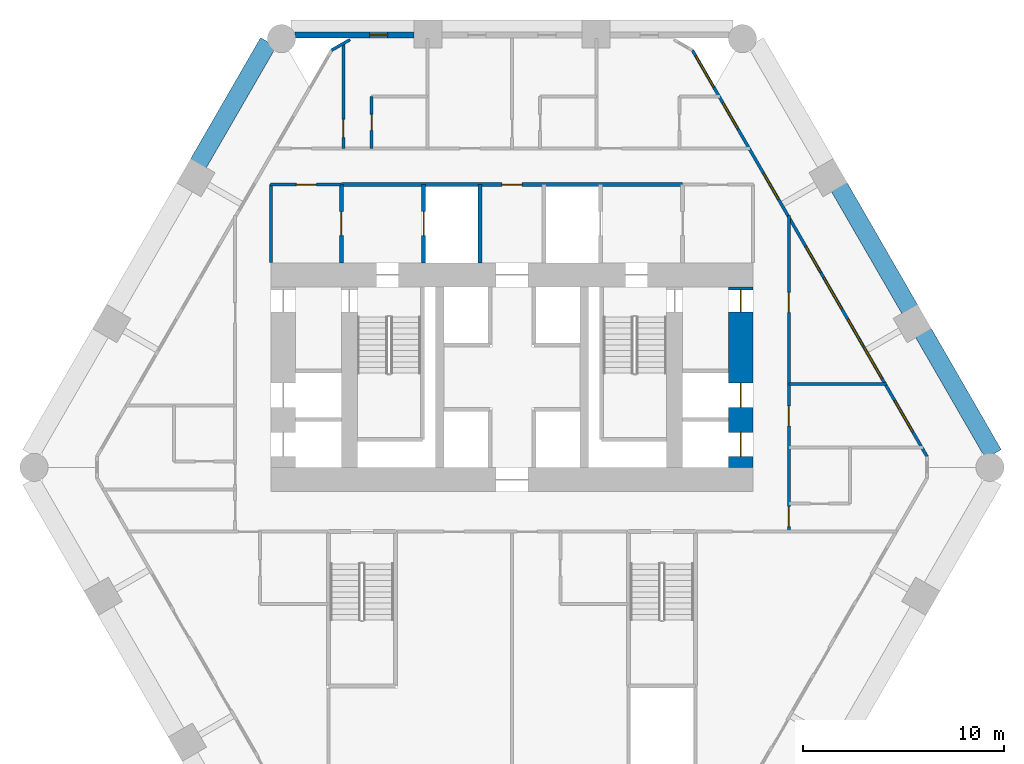
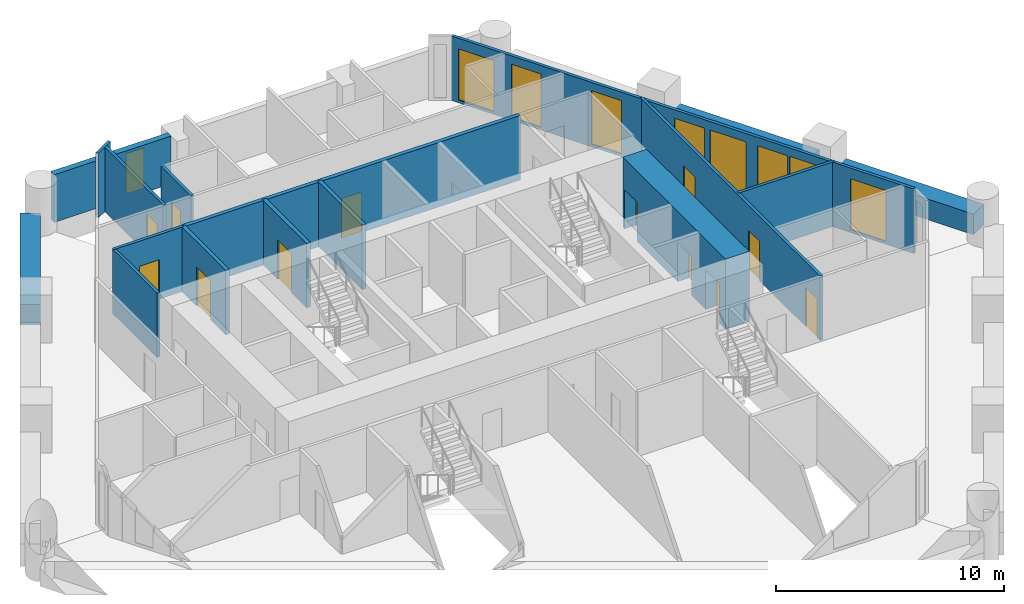
# One storey, part 5 of 8: 17 walls, 12 doors, 9 windows, 21 openings.
"""IFC4 building model written with IfcOpenShell, lengths in metres."""

from ifc_helpers import new_model, si_unit, direction, frame, frame_2d, origin, place, context, subcontext, project, spatial, rectangle, extrude, material, layer, layer_set, type_object, element, fill, save


model = new_model("IFC4")

# Units and contexts
model_context = context("Model", 3, precision=1e-05, world=origin(), true_north=direction((0.0, 1.0)))
body_context = subcontext(model_context, "Body", "Model", "MODEL_VIEW")
ifc_project = project(units=[si_unit("LENGTHUNIT", "METRE"), si_unit("AREAUNIT", "SQUARE_METRE"), si_unit("VOLUMEUNIT", "CUBIC_METRE"), si_unit("PLANEANGLEUNIT", "RADIAN"), si_unit("MASSUNIT", "GRAM", prefix="KILO")], contexts=[model_context])

# Site, building, storey
site_placement = place(None, origin())
site = spatial("IfcSite", under=ifc_project, at=site_placement, CompositionType="ELEMENT")
building_placement = place(site_placement, origin())
building = spatial("IfcBuilding", under=site, at=building_placement, Name="Ostrander Bayou Hotel Tower", CompositionType="ELEMENT")
storey_placement = place(building_placement, frame((0.0, 0.0, 54.25)))
storey = spatial("IfcBuildingStorey", under=building, at=storey_placement, Name="L13", CompositionType="ELEMENT", Elevation=54.25)

# Wall, openings, doors
ifc_material_1 = material(Name="Concrete f'c 70 MPa", Category="concrete")
ifc_layer_1 = layer(ifc_material_1, 1.199951171875)
ifc_layer_set_1 = layer_set([ifc_layer_1], Name="CW1 core wall 1200 mm f'c 70 MPa")
wall_type_1 = type_object("IfcWallType", Name="CW1 core wall 1200 mm f'c 70 MPa", PredefinedType="SHEAR", material=ifc_layer_set_1)
wall_1_placement = place(storey_placement, frame((11.39990234375, -0.5, -0.300048828125), z_axis=(0.0, 0.0, 1.0), x_axis=(0.0, 1.0, 0.0)))
wall_1 = element("IfcWall", 1, at=wall_1_placement, inside=storey, type_object=wall_type_1, Name="CW1 L13 RE", PredefinedType="SHEAR", context=body_context, shape_type="SweptSolid", body=[
    extrude(rectangle(XDim=9.0, YDim=1.199951171875, at=frame_2d((4.5, 0.0))), origin(), (0.0, 0.0, 1.0), 3.75),
])
opening_1_placement = place(wall_1_placement, frame((7.75, 0.0, 0.0)))
opening_1 = element("IfcOpeningElement", 2, at=opening_1_placement, cuts=wall_1, Name="Opening T12-017", PredefinedType="OPENING", context=body_context, shape_type="SweptSolid", body=[
    extrude(rectangle(XDim=1.10009765625, YDim=2.10009765625, at=frame_2d((0.550048828125, 1.050048828125))), frame((0.0, 0.60009765625, 0.0), z_axis=(0.0, -1.0, 0.0), x_axis=(1.0, 0.0, 0.0)), (0.0, 0.0, 1.0), 1.199951171875),
])
opening_2_placement = place(wall_1_placement, frame((0.550048828125, 0.0, 0.0)))
opening_2 = element("IfcOpeningElement", 3, at=opening_2_placement, cuts=wall_1, Name="Opening T12-018", PredefinedType="OPENING", context=body_context, shape_type="SweptSolid", body=[
    extrude(rectangle(XDim=1.199951171875, YDim=2.10009765625, at=frame_2d((0.60009765625, 1.050048828125))), frame((0.0, 0.60009765625, 0.0), z_axis=(0.0, -1.0, 0.0), x_axis=(1.0, 0.0, 0.0)), (0.0, 0.0, 1.0), 1.199951171875),
])
opening_3_placement = place(wall_1_placement, frame((3.0, 0.0, 0.0)))
opening_3 = element("IfcOpeningElement", 4, at=opening_3_placement, cuts=wall_1, Name="Opening T12-019", PredefinedType="OPENING", context=body_context, shape_type="SweptSolid", body=[
    extrude(rectangle(XDim=1.199951171875, YDim=2.10009765625, at=frame_2d((0.60009765625, 1.050048828125))), frame((0.0, 0.60009765625, 0.0), z_axis=(0.0, -1.0, 0.0), x_axis=(1.0, 0.0, 0.0)), (0.0, 0.0, 1.0), 1.199951171875),
])
ifc_material_2 = material(Name="Timber door leaf", Category="wood")
door_type_1 = type_object("IfcDoorType", Name="D5 stair door 1100 x 2100 mm, 90 minute", OperationType="SINGLE_SWING_LEFT", PredefinedType="DOOR", material=ifc_material_2)
door_1_placement = place(opening_1_placement, origin())
door_1 = element("IfcDoor", 5, at=door_1_placement, inside=storey, type_object=door_type_1, Name="dr:L13:017", OperationType="SINGLE_SWING_RIGHT", OverallHeight=2.10009765625, OverallWidth=1.10009765625, PredefinedType="DOOR", context=body_context, shape_type="SweptSolid", body=[
    extrude(rectangle(XDim=1.10009765625, YDim=2.10009765625, at=frame_2d((0.550048828125, 1.050048828125))), frame((0.0, 0.02490234375, 0.0), z_axis=(0.0, -1.0, 0.0), x_axis=(1.0, 0.0, 0.0)), (0.0, 0.0, 1.0), 0.050048828125),
])
fill(opening_1, door_1)
ifc_material_3 = material(Name="Stainless steel sliding door", Category="steel")
door_type_2 = type_object("IfcDoorType", Name="LD1 lift landing door 1200 x 2100 mm", OperationType="SINGLE_SWING_LEFT", PredefinedType="DOOR", material=ifc_material_3)
door_2_placement = place(opening_2_placement, origin())
door_2 = element("IfcDoor", 6, at=door_2_placement, inside=storey, type_object=door_type_2, Name="dr:L13:018", OperationType="SLIDING_TO_LEFT", OverallHeight=2.10009765625, OverallWidth=1.199951171875, PredefinedType="DOOR", context=body_context, shape_type="SweptSolid", body=[
    extrude(rectangle(XDim=1.199951171875, YDim=2.10009765625, at=frame_2d((0.60009765625, 1.050048828125))), frame((0.0, 0.02490234375, 0.0), z_axis=(0.0, -1.0, 0.0), x_axis=(1.0, 0.0, 0.0)), (0.0, 0.0, 1.0), 0.050048828125),
])
fill(opening_2, door_2)
door_3_placement = place(opening_3_placement, origin())
door_3 = element("IfcDoor", 7, at=door_3_placement, inside=storey, type_object=door_type_2, Name="dr:L13:019", OperationType="SLIDING_TO_LEFT", OverallHeight=2.10009765625, OverallWidth=1.199951171875, PredefinedType="DOOR", context=body_context, shape_type="SweptSolid", body=[
    extrude(rectangle(XDim=1.199951171875, YDim=2.10009765625, at=frame_2d((0.60009765625, 1.050048828125))), frame((0.0, 0.02490234375, 0.0), z_axis=(0.0, -1.0, 0.0), x_axis=(1.0, 0.0, 0.0)), (0.0, 0.0, 1.0), 0.050048828125),
])
fill(opening_3, door_3)

# Wall, openings, windows
ifc_material_4 = material(Name="Aluminium framed insulated wall", Category="aluminium")
ifc_layer_2 = layer(ifc_material_4, 0.14990234375)
ifc_layer_set_2 = layer_set([ifc_layer_2], Name="GW1 glass-line wall 150 mm")
wall_type_2 = type_object("IfcWallType", Name="GW1 glass-line wall 150 mm", PredefinedType="SOLIDWALL", material=ifc_layer_set_2)
wall_2_placement = place(storey_placement, frame((20.6845703125, 0.04150390625, 0.0), z_axis=(0.0, 0.0, 1.0), x_axis=(-0.49999960747, 0.866025630412, 0.0)))
wall_2 = element("IfcWall", 8, at=wall_2_placement, inside=storey, type_object=wall_type_2, Name="GW1 L13 NE 1", PredefinedType="SOLIDWALL", context=body_context, shape_type="SweptSolid", body=[
    extrude(rectangle(XDim=23.3837890625, YDim=0.14990234375, at=frame_2d((11.69189453125, 0.0))), origin(), (0.0, 0.0, 1.0), 3.449951171875),
])
opening_4_placement = place(wall_2_placement, frame((4.49072265625, 0.0, 0.14990234375)))
opening_4 = element("IfcOpeningElement", 9, at=opening_4_placement, cuts=wall_2, Name="Opening W1", PredefinedType="OPENING", context=body_context, shape_type="SweptSolid", body=[
    extrude(rectangle(XDim=1.800048828125, YDim=2.85009765625, at=frame_2d((0.89990234375, 1.425048828125))), frame((0.0, 0.074951171875, 0.0), z_axis=(0.0, -1.0, 0.0), x_axis=(1.0, 0.0, 0.0)), (0.0, 0.0, 1.0), 0.14990234375),
])
opening_5_placement = place(wall_2_placement, frame((6.40625, 0.0, 0.14990234375)))
opening_5 = element("IfcOpeningElement", 10, at=opening_5_placement, cuts=wall_2, Name="Opening W11", PredefinedType="OPENING", context=body_context, shape_type="SweptSolid", body=[
    extrude(rectangle(XDim=1.5, YDim=2.85009765625, at=frame_2d((0.75, 1.425048828125))), frame((0.0, 0.074951171875, 0.0), z_axis=(0.0, -1.0, 0.0), x_axis=(1.0, 0.0, 0.0)), (0.0, 0.0, 1.0), 0.14990234375),
])
opening_6_placement = place(wall_2_placement, frame((8.50634765625, 0.0, 0.14990234375)))
opening_6 = element("IfcOpeningElement", 11, at=opening_6_placement, cuts=wall_2, Name="Opening W1", PredefinedType="OPENING", context=body_context, shape_type="SweptSolid", body=[
    extrude(rectangle(XDim=1.800048828125, YDim=2.85009765625, at=frame_2d((0.89990234375, 1.425048828125))), frame((0.0, 0.074951171875, 0.0), z_axis=(0.0, -1.0, 0.0), x_axis=(1.0, 0.0, 0.0)), (0.0, 0.0, 1.0), 0.14990234375),
])
opening_7_placement = place(wall_2_placement, frame((10.606201171875, 0.0, 0.14990234375)))
opening_7 = element("IfcOpeningElement", 12, at=opening_7_placement, cuts=wall_2, Name="Opening W11", PredefinedType="OPENING", context=body_context, shape_type="SweptSolid", body=[
    extrude(rectangle(XDim=1.5, YDim=2.85009765625, at=frame_2d((0.75, 1.425048828125))), frame((0.0, 0.074951171875, 0.0), z_axis=(0.0, -1.0, 0.0), x_axis=(1.0, 0.0, 0.0)), (0.0, 0.0, 1.0), 0.14990234375),
])
opening_8_placement = place(wall_2_placement, frame((14.806396484375, 0.0, 0.14990234375)))
opening_8 = element("IfcOpeningElement", 13, at=opening_8_placement, cuts=wall_2, Name="Opening W11", PredefinedType="OPENING", context=body_context, shape_type="SweptSolid", body=[
    extrude(rectangle(XDim=1.5, YDim=2.85009765625, at=frame_2d((0.75, 1.425048828125))), frame((0.0, 0.074951171875, 0.0), z_axis=(0.0, -1.0, 0.0), x_axis=(1.0, 0.0, 0.0)), (0.0, 0.0, 1.0), 0.14990234375),
])
opening_9_placement = place(wall_2_placement, frame((18.860595703125, 0.0, 0.14990234375)))
opening_9 = element("IfcOpeningElement", 14, at=opening_9_placement, cuts=wall_2, Name="Opening W11", PredefinedType="OPENING", context=body_context, shape_type="SweptSolid", body=[
    extrude(rectangle(XDim=1.5, YDim=2.85009765625, at=frame_2d((0.75, 1.425048828125))), frame((0.0, 0.074951171875, 0.0), z_axis=(0.0, -1.0, 0.0), x_axis=(1.0, 0.0, 0.0)), (0.0, 0.0, 1.0), 0.14990234375),
])
opening_10_placement = place(wall_2_placement, frame((1.422119140625, 0.0, 0.14990234375)))
opening_10 = element("IfcOpeningElement", 15, at=opening_10_placement, cuts=wall_2, Name="Opening W1", PredefinedType="OPENING", context=body_context, shape_type="SweptSolid", body=[
    extrude(rectangle(XDim=1.800048828125, YDim=2.72998046875, at=frame_2d((0.89990234375, 1.364990234375))), frame((0.0, 0.074951171875, 0.0), z_axis=(0.0, -1.0, 0.0), x_axis=(1.0, 0.0, 0.0)), (0.0, 0.0, 1.0), 0.14990234375),
])
opening_11_placement = place(wall_2_placement, frame((21.247314453125, 0.0, 0.14990234375)))
opening_11 = element("IfcOpeningElement", 16, at=opening_11_placement, cuts=wall_2, Name="Opening W1", PredefinedType="OPENING", context=body_context, shape_type="SweptSolid", body=[
    extrude(rectangle(XDim=1.800048828125, YDim=2.72998046875, at=frame_2d((0.89990234375, 1.364990234375))), frame((0.0, 0.074951171875, 0.0), z_axis=(0.0, -1.0, 0.0), x_axis=(1.0, 0.0, 0.0)), (0.0, 0.0, 1.0), 0.14990234375),
])
ifc_material_5 = material(Name="Aluminium and clear glass", Category="aluminium")
window_type_1 = type_object("IfcWindowType", Name="W1 fixed window 1800 mm, zone 1", PartitioningType="SINGLE_PANEL", PredefinedType="WINDOW", material=ifc_material_5)
window_1_placement = place(opening_4_placement, origin())
window_1 = element("IfcWindow", 17, at=window_1_placement, inside=storey, type_object=window_type_1, Name="W1 L13 NE 2", OverallHeight=2.85009765625, OverallWidth=1.800048828125, PartitioningType="SINGLE_PANEL", PredefinedType="WINDOW", context=body_context, shape_type="SweptSolid", body=[
    extrude(rectangle(XDim=1.800048828125, YDim=2.85009765625, at=frame_2d((0.89990234375, 1.425048828125))), frame((0.0, 0.030029296875, 0.0), z_axis=(0.0, -1.0, 0.0), x_axis=(1.0, 0.0, 0.0)), (0.0, 0.0, 1.0), 0.06005859375),
])
fill(opening_4, window_1)
window_2_placement = place(opening_6_placement, origin())
window_2 = element("IfcWindow", 18, at=window_2_placement, inside=storey, type_object=window_type_1, Name="W1 L13 NE 3", OverallHeight=2.85009765625, OverallWidth=1.800048828125, PartitioningType="SINGLE_PANEL", PredefinedType="WINDOW", context=body_context, shape_type="SweptSolid", body=[
    extrude(rectangle(XDim=1.800048828125, YDim=2.85009765625, at=frame_2d((0.89990234375, 1.425048828125))), frame((0.0, 0.030029296875, 0.0), z_axis=(0.0, -1.0, 0.0), x_axis=(1.0, 0.0, 0.0)), (0.0, 0.0, 1.0), 0.06005859375),
])
fill(opening_6, window_2)
window_3_placement = place(opening_10_placement, origin())
window_3 = element("IfcWindow", 19, at=window_3_placement, inside=storey, type_object=window_type_1, Name="W1 L13 NE E12", OverallHeight=2.72998046875, OverallWidth=1.800048828125, PartitioningType="SINGLE_PANEL", PredefinedType="WINDOW", context=body_context, shape_type="SweptSolid", body=[
    extrude(rectangle(XDim=1.800048828125, YDim=2.72998046875, at=frame_2d((0.89990234375, 1.364990234375))), frame((0.0, 0.030029296875, 0.0), z_axis=(0.0, -1.0, 0.0), x_axis=(1.0, 0.0, 0.0)), (0.0, 0.0, 1.0), 0.06005859375),
])
fill(opening_10, window_3)
window_4_placement = place(opening_11_placement, origin())
window_4 = element("IfcWindow", 20, at=window_4_placement, inside=storey, type_object=window_type_1, Name="W1 L13 NE E21", OverallHeight=2.72998046875, OverallWidth=1.800048828125, PartitioningType="SINGLE_PANEL", PredefinedType="WINDOW", context=body_context, shape_type="SweptSolid", body=[
    extrude(rectangle(XDim=1.800048828125, YDim=2.72998046875, at=frame_2d((0.89990234375, 1.364990234375))), frame((0.0, 0.030029296875, 0.0), z_axis=(0.0, -1.0, 0.0), x_axis=(1.0, 0.0, 0.0)), (0.0, 0.0, 1.0), 0.06005859375),
])
fill(opening_11, window_4)
ifc_material_6 = material(Name="Aluminium and clear glass", Category="aluminium")
window_type_2 = type_object("IfcWindowType", Name="W11 fixed window 1500 mm, bath bay, zone 1", PartitioningType="SINGLE_PANEL", PredefinedType="WINDOW", material=ifc_material_6)
window_5_placement = place(opening_5_placement, origin())
window_5 = element("IfcWindow", 21, at=window_5_placement, inside=storey, type_object=window_type_2, Name="W11 L13 NE 2", OverallHeight=2.85009765625, OverallWidth=1.5, PartitioningType="SINGLE_PANEL", PredefinedType="WINDOW", context=body_context, shape_type="SweptSolid", body=[
    extrude(rectangle(XDim=1.5, YDim=2.85009765625, at=frame_2d((0.75, 1.425048828125))), frame((0.0, 0.030029296875, 0.0), z_axis=(0.0, -1.0, 0.0), x_axis=(1.0, 0.0, 0.0)), (0.0, 0.0, 1.0), 0.06005859375),
])
fill(opening_5, window_5)
window_6_placement = place(opening_7_placement, origin())
window_6 = element("IfcWindow", 22, at=window_6_placement, inside=storey, type_object=window_type_2, Name="W11 L13 NE 3", OverallHeight=2.85009765625, OverallWidth=1.5, PartitioningType="SINGLE_PANEL", PredefinedType="WINDOW", context=body_context, shape_type="SweptSolid", body=[
    extrude(rectangle(XDim=1.5, YDim=2.85009765625, at=frame_2d((0.75, 1.425048828125))), frame((0.0, 0.030029296875, 0.0), z_axis=(0.0, -1.0, 0.0), x_axis=(1.0, 0.0, 0.0)), (0.0, 0.0, 1.0), 0.06005859375),
])
fill(opening_7, window_6)
window_7_placement = place(opening_8_placement, origin())
window_7 = element("IfcWindow", 23, at=window_7_placement, inside=storey, type_object=window_type_2, Name="W11 L13 NE 4", OverallHeight=2.85009765625, OverallWidth=1.5, PartitioningType="SINGLE_PANEL", PredefinedType="WINDOW", context=body_context, shape_type="SweptSolid", body=[
    extrude(rectangle(XDim=1.5, YDim=2.85009765625, at=frame_2d((0.75, 1.425048828125))), frame((0.0, 0.030029296875, 0.0), z_axis=(0.0, -1.0, 0.0), x_axis=(1.0, 0.0, 0.0)), (0.0, 0.0, 1.0), 0.06005859375),
])
fill(opening_8, window_7)
window_8_placement = place(opening_9_placement, origin())
window_8 = element("IfcWindow", 24, at=window_8_placement, inside=storey, type_object=window_type_2, Name="W11 L13 NE 5", OverallHeight=2.85009765625, OverallWidth=1.5, PartitioningType="SINGLE_PANEL", PredefinedType="WINDOW", context=body_context, shape_type="SweptSolid", body=[
    extrude(rectangle(XDim=1.5, YDim=2.85009765625, at=frame_2d((0.75, 1.425048828125))), frame((0.0, 0.030029296875, 0.0), z_axis=(0.0, -1.0, 0.0), x_axis=(1.0, 0.0, 0.0)), (0.0, 0.0, 1.0), 0.06005859375),
])
fill(opening_9, window_8)

# Wall
wall_3_placement = place(storey_placement, frame((-8.0703125, 20.824951171875, 0.0), z_axis=(0.0, 0.0, 1.0), x_axis=(-0.866048165231, -0.499960573946, 0.0)))
element("IfcWall", 25, at=wall_3_placement, inside=storey, type_object=wall_type_2, Name="GW1 L13 corner 1", PredefinedType="SOLIDWALL", context=body_context, shape_type="SweptSolid", body=[
    extrude(rectangle(XDim=1.06494140625, YDim=0.14990234375, at=frame_2d((0.532470703125, 0.0))), origin(), (0.0, 0.0, 1.0), 3.449951171875),
])

# Wall, opening, window
ifc_material_7 = material(Name="Reconstituted stone on masonry backing", Category="masonry")
ifc_layer_3 = layer(ifc_material_7, 0.300048828125)
ifc_layer_set_3 = layer_set([ifc_layer_3], Name="NW1 north stone wall 300 mm")
wall_type_3 = type_object("IfcWallType", Name="NW1 north stone wall 300 mm", PredefinedType="SOLIDWALL", material=ifc_layer_set_3)
wall_4_placement = place(storey_placement, frame((-4.8955078125, 21.050048828125, 0.0), z_axis=(0.0, 0.0, 1.0), x_axis=(-1.0, 0.0, 0.0)))
wall_4 = element("IfcWall", 26, at=wall_4_placement, inside=storey, type_object=wall_type_3, Name="NW1 L13 N-3", PredefinedType="SOLIDWALL", context=body_context, shape_type="SweptSolid", body=[
    extrude(rectangle(XDim=5.914306640625, YDim=0.300048828125, at=frame_2d((2.95703125, 0.0))), origin(), (0.0, 0.0, 1.0), 2.550048828125),
])
opening_12_placement = place(wall_4_placement, frame((1.300048828125, 0.0, 0.14990234375)))
opening_12 = element("IfcOpeningElement", 27, at=opening_12_placement, cuts=wall_4, Name="Opening W15", PredefinedType="OPENING", context=body_context, shape_type="SweptSolid", body=[
    extrude(rectangle(XDim=0.89990234375, YDim=2.14990234375, at=frame_2d((0.449951171875, 1.074951171875))), frame((0.0, 0.14990234375, 0.0), z_axis=(0.0, -1.0, 0.0), x_axis=(1.0, 0.0, 0.0)), (0.0, 0.0, 1.0), 0.300048828125),
])
ifc_material_8 = material(Name="Aluminium and clear glass", Category="aluminium")
window_type_3 = type_object("IfcWindowType", Name="W15 window 900 mm, zone 1", PartitioningType="SINGLE_PANEL", PredefinedType="WINDOW", material=ifc_material_8)
window_9_placement = place(opening_12_placement, origin())
window_9 = element("IfcWindow", 28, at=window_9_placement, inside=storey, type_object=window_type_3, Name="W15 L13 north N-3", OverallHeight=2.14990234375, OverallWidth=0.89990234375, PartitioningType="SINGLE_PANEL", PredefinedType="WINDOW", context=body_context, shape_type="SweptSolid", body=[
    extrude(rectangle(XDim=0.89990234375, YDim=2.14990234375, at=frame_2d((0.449951171875, 1.074951171875))), frame((0.0, 0.030029296875, 0.0), z_axis=(0.0, -1.0, 0.0), x_axis=(1.0, 0.0, 0.0)), (0.0, 0.0, 1.0), 0.06005859375),
])
fill(opening_12, window_9)

# Walls
ifc_material_9 = material(Name="Concrete f'c 40 MPa", Category="concrete")
ifc_layer_4 = layer(ifc_material_9, 0.89990234375)
ifc_layer_set_4 = layer_set([ifc_layer_4], Name="PA1 stone-faced parapet 900 mm")
wall_type_4 = type_object("IfcWallType", Name="PA1 stone-faced parapet 900 mm", PredefinedType="PARAPET", material=ifc_layer_set_4)
for number, where, z_axis, x_axis, name in (
    (29, (-12.13818359375, 20.694091796875, 0.0), (0.0, 0.0, 1.0), (-0.500009789943, -0.866019751484, 0.0), "PA1 L13 NW-1"),
    (30, (23.99072265625, 0.1650390625, 0.0), (0.0, 0.0, 1.0), (-0.499983583635, 0.86603488157, 0.0), "PA1 L13 NE-1"),
):
    element("IfcWall", number, at=place(storey_placement, frame(where, z_axis=z_axis, x_axis=x_axis)), inside=storey, type_object=wall_type_4, Name=name, PredefinedType="PARAPET", context=body_context, shape_type="SweptSolid", body=[
        extrude(rectangle(XDim=6.987060546875, YDim=0.89990234375, at=frame_2d((3.49365234375, 0.0))), origin(), (0.0, 0.0, 1.0), 1.10009765625),
    ])
wall_5_placement = place(storey_placement, frame((19.8271484375, 7.37646484375, 0.0), z_axis=(0.0, 0.0, 1.0), x_axis=(-0.499997206141, 0.866027016814, 0.0)))
element("IfcWall", 31, at=wall_5_placement, inside=storey, type_object=wall_type_4, Name="PA1 L13 NE-2", PredefinedType="PARAPET", context=body_context, shape_type="SweptSolid", body=[
    extrude(rectangle(XDim=7.05078125, YDim=0.89990234375, at=frame_2d((3.525390625, 0.0))), origin(), (0.0, 0.0, 1.0), 1.10009765625),
])

# Wall, opening, door
ifc_material_10 = material(Name="Masonry block", Category="masonry")
ifc_layer_5 = layer(ifc_material_10, 0.199951171875)
ifc_layer_set_5 = layer_set([ifc_layer_5], Name="PT5 stair enclosure wall 200 mm masonry, 2 hour")
wall_type_5 = type_object("IfcWallType", Name="PT5 stair enclosure wall 200 mm masonry, 2 hour", PredefinedType="PARTITIONING", material=ifc_layer_set_5)
wall_6_placement = place(storey_placement, frame((-8.5, 13.60009765625, 0.0), z_axis=(0.0, 0.0, 1.0), x_axis=(1.0, 0.0, 0.0)))
wall_6 = element("IfcWall", 32, at=wall_6_placement, inside=storey, type_object=wall_type_5, Name="cs:L13:023", PredefinedType="PARTITIONING", context=body_context, shape_type="SweptSolid", body=[
    extrude(rectangle(XDim=17.0, YDim=0.199951171875, at=frame_2d((8.5, 0.0))), origin(), (0.0, 0.0, 1.0), 3.449951171875),
])
opening_13_placement = place(wall_6_placement, frame((8.0, 0.0, 0.0)))
opening_13 = element("IfcOpeningElement", 33, at=opening_13_placement, cuts=wall_6, Name="Opening T12-013", PredefinedType="OPENING", context=body_context, shape_type="SweptSolid", body=[
    extrude(rectangle(XDim=1.0, YDim=2.10009765625, at=frame_2d((0.5, 1.050048828125))), frame((0.0, 0.10009765625, 0.0), z_axis=(0.0, -1.0, 0.0), x_axis=(1.0, 0.0, 0.0)), (0.0, 0.0, 1.0), 0.199951171875),
])
ifc_material_11 = material(Name="Timber door leaf", Category="wood")
door_type_3 = type_object("IfcDoorType", Name="D9 service door 1000 x 2100 mm, 30 minute", OperationType="SINGLE_SWING_LEFT", PredefinedType="DOOR", material=ifc_material_11)
door_4_placement = place(opening_13_placement, origin())
door_4 = element("IfcDoor", 34, at=door_4_placement, inside=storey, type_object=door_type_3, Name="dr:L13:013", OperationType="SINGLE_SWING_LEFT", OverallHeight=2.10009765625, OverallWidth=1.0, PredefinedType="DOOR", context=body_context, shape_type="SweptSolid", body=[
    extrude(rectangle(XDim=1.0, YDim=2.10009765625, at=frame_2d((0.5, 1.050048828125))), frame((0.0, 0.02490234375, 0.0), z_axis=(0.0, -1.0, 0.0), x_axis=(1.0, 0.0, 0.0)), (0.0, 0.0, 1.0), 0.050048828125),
])
fill(opening_13, door_4)

wall_7_placement = place(storey_placement, frame((-8.5, 9.699951171875, 0.0), z_axis=(0.0, 0.0, 1.0), x_axis=(0.0, 1.0, 0.0)))
wall_7 = element("IfcWall", 35, at=wall_7_placement, inside=storey, type_object=wall_type_5, Name="cs:L13:024", PredefinedType="PARTITIONING", context=body_context, shape_type="SweptSolid", body=[
    extrude(rectangle(XDim=3.900146484375, YDim=0.199951171875, at=frame_2d((1.9501953125, 0.0))), origin(), (0.0, 0.0, 1.0), 3.449951171875),
])
opening_14_placement = place(wall_7_placement, frame((1.35009765625, 0.0, 0.0)))
opening_14 = element("IfcOpeningElement", 36, at=opening_14_placement, cuts=wall_7, Name="Opening T12-010", PredefinedType="OPENING", context=body_context, shape_type="SweptSolid", body=[
    extrude(rectangle(XDim=1.199951171875, YDim=2.10009765625, at=frame_2d((0.60009765625, 1.050048828125))), frame((0.0, 0.10009765625, 0.0), z_axis=(0.0, -1.0, 0.0), x_axis=(1.0, 0.0, 0.0)), (0.0, 0.0, 1.0), 0.199951171875),
])
ifc_material_12 = material(Name="Timber door leaf", Category="wood")
door_type_4 = type_object("IfcDoorType", Name="D7 lobby door 1200 x 2100 mm, 1 hour", OperationType="SINGLE_SWING_LEFT", PredefinedType="DOOR", material=ifc_material_12)
door_5_placement = place(opening_14_placement, origin())
door_5 = element("IfcDoor", 37, at=door_5_placement, inside=storey, type_object=door_type_4, Name="dr:L13:010", OperationType="SINGLE_SWING_LEFT", OverallHeight=2.10009765625, OverallWidth=1.199951171875, PredefinedType="DOOR", context=body_context, shape_type="SweptSolid", body=[
    extrude(rectangle(XDim=1.199951171875, YDim=2.10009765625, at=frame_2d((0.60009765625, 1.050048828125))), frame((0.0, 0.02490234375, 0.0), z_axis=(0.0, -1.0, 0.0), x_axis=(1.0, 0.0, 0.0)), (0.0, 0.0, 1.0), 0.050048828125),
])
fill(opening_14, door_5)

wall_8_placement = place(storey_placement, frame((-4.39990234375, 9.699951171875, 0.0), z_axis=(0.0, 0.0, 1.0), x_axis=(0.0, 1.0, 0.0)))
wall_8 = element("IfcWall", 38, at=wall_8_placement, inside=storey, type_object=wall_type_5, Name="cs:L13:026", PredefinedType="PARTITIONING", context=body_context, shape_type="SweptSolid", body=[
    extrude(rectangle(XDim=3.900146484375, YDim=0.199951171875, at=frame_2d((1.9501953125, 0.0))), origin(), (0.0, 0.0, 1.0), 3.449951171875),
])
opening_15_placement = place(wall_8_placement, frame((1.35009765625, 0.0, 0.0)))
opening_15 = element("IfcOpeningElement", 39, at=opening_15_placement, cuts=wall_8, Name="Opening T12-009", PredefinedType="OPENING", context=body_context, shape_type="SweptSolid", body=[
    extrude(rectangle(XDim=1.199951171875, YDim=2.10009765625, at=frame_2d((0.60009765625, 1.050048828125))), frame((0.0, 0.10009765625, 0.0), z_axis=(0.0, -1.0, 0.0), x_axis=(1.0, 0.0, 0.0)), (0.0, 0.0, 1.0), 0.199951171875),
])
door_6_placement = place(opening_15_placement, origin())
door_6 = element("IfcDoor", 40, at=door_6_placement, inside=storey, type_object=door_type_2, Name="dr:L13:009", OperationType="SLIDING_TO_LEFT", OverallHeight=2.10009765625, OverallWidth=1.199951171875, PredefinedType="DOOR", context=body_context, shape_type="SweptSolid", body=[
    extrude(rectangle(XDim=1.199951171875, YDim=2.10009765625, at=frame_2d((0.60009765625, 1.050048828125))), frame((0.0, 0.02490234375, 0.0), z_axis=(0.0, -1.0, 0.0), x_axis=(1.0, 0.0, 0.0)), (0.0, 0.0, 1.0), 0.050048828125),
])
fill(opening_15, door_6)

# Walls
ifc_material_13 = material(Name="Masonry block", Category="masonry")
ifc_layer_6 = layer(ifc_material_13, 0.199951171875)
ifc_layer_set_6 = layer_set([ifc_layer_6], Name="PT6 lift shaft wall 200 mm masonry, 2 hour")
wall_type_6 = type_object("IfcWallType", Name="PT6 lift shaft wall 200 mm masonry, 2 hour", PredefinedType="PARTITIONING", material=ifc_layer_set_6)
wall_9_placement = place(storey_placement, frame((-1.60009765625, 9.699951171875, 0.0), z_axis=(0.0, 0.0, 1.0), x_axis=(0.0, 1.0, 0.0)))
element("IfcWall", 41, at=wall_9_placement, inside=storey, type_object=wall_type_6, Name="cs:L13:028", PredefinedType="PARTITIONING", context=body_context, shape_type="SweptSolid", body=[
    extrude(rectangle(XDim=3.900146484375, YDim=0.199951171875, at=frame_2d((1.9501953125, 0.0))), origin(), (0.0, 0.0, 1.0), 3.449951171875),
])
ifc_material_14 = material(Name="Gypsum board partition", Category="finish")
ifc_layer_7 = layer(ifc_material_14, 0.14990234375)
ifc_layer_set_7 = layer_set([ifc_layer_7], Name="PT8 service band wall 150 mm, 1 hour")
wall_type_7 = type_object("IfcWallType", Name="PT8 service band wall 150 mm, 1 hour", PredefinedType="PARTITIONING", material=ifc_layer_set_7)
wall_10_placement = place(storey_placement, frame((13.800048828125, 3.64990234375, 0.0), z_axis=(0.0, 0.0, 1.0), x_axis=(1.0, 0.0, 0.0)))
element("IfcWall", 42, at=wall_10_placement, inside=storey, type_object=wall_type_7, Name="gw:L13:011", PredefinedType="PARTITIONING", context=body_context, shape_type="SweptSolid", body=[
    extrude(rectangle(XDim=4.85302734375, YDim=0.14990234375, at=frame_2d((2.426513671875, 0.0))), origin(), (0.0, 0.0, 1.0), 3.449951171875),
])

# Wall, opening, door
wall_11_placement = place(storey_placement, frame((-12.0400390625, 13.60009765625, 0.0), z_axis=(0.0, 0.0, 1.0), x_axis=(1.0, 0.0, 0.0)))
wall_11 = element("IfcWall", 43, at=wall_11_placement, inside=storey, type_object=wall_type_7, Name="gw:L13:012", PredefinedType="PARTITIONING", context=body_context, shape_type="SweptSolid", body=[
    extrude(rectangle(XDim=3.530029296875, YDim=0.14990234375, at=frame_2d((1.76513671875, 0.0))), origin(), (0.0, 0.0, 1.0), 3.449951171875),
])
opening_16_placement = place(wall_11_placement, frame((1.2900390625, 0.0, 0.0)))
opening_16 = element("IfcOpeningElement", 44, at=opening_16_placement, cuts=wall_11, Name="Opening T12-422", PredefinedType="OPENING", context=body_context, shape_type="SweptSolid", body=[
    extrude(rectangle(XDim=1.0, YDim=2.10009765625, at=frame_2d((0.5, 1.050048828125))), frame((0.0, 0.074951171875, 0.0), z_axis=(0.0, -1.0, 0.0), x_axis=(1.0, 0.0, 0.0)), (0.0, 0.0, 1.0), 0.14990234375),
])
door_7_placement = place(opening_16_placement, origin())
door_7 = element("IfcDoor", 45, at=door_7_placement, inside=storey, type_object=door_type_3, Name="dr:L13:422", OperationType="SINGLE_SWING_RIGHT", OverallHeight=2.10009765625, OverallWidth=1.0, PredefinedType="DOOR", context=body_context, shape_type="SweptSolid", body=[
    extrude(rectangle(XDim=1.0, YDim=2.10009765625, at=frame_2d((0.5, 1.050048828125))), frame((0.0, 0.02490234375, 0.0), z_axis=(0.0, -1.0, 0.0), x_axis=(1.0, 0.0, 0.0)), (0.0, 0.0, 1.0), 0.050048828125),
])
fill(opening_16, door_7)

# Wall, openings, doors
wall_12_placement = place(storey_placement, frame((13.800048828125, -3.699951171875, 0.0), z_axis=(0.0, 0.0, 1.0), x_axis=(0.0, 1.0, 0.0)))
wall_12 = element("IfcWall", 46, at=wall_12_placement, inside=storey, type_object=wall_type_7, Name="gw:L13:019", PredefinedType="PARTITIONING", context=body_context, shape_type="SweptSolid", body=[
    extrude(rectangle(XDim=15.755859375, YDim=0.14990234375, at=frame_2d((7.8779296875, 0.0))), origin(), (0.0, 0.0, 1.0), 3.449951171875),
])
opening_17_placement = place(wall_12_placement, frame((0.25, 0.0, 0.0)))
opening_17 = element("IfcOpeningElement", 47, at=opening_17_placement, cuts=wall_12, Name="Opening T12-410", PredefinedType="OPENING", context=body_context, shape_type="SweptSolid", body=[
    extrude(rectangle(XDim=1.0, YDim=2.10009765625, at=frame_2d((0.5, 1.050048828125))), frame((0.0, 0.074951171875, 0.0), z_axis=(0.0, -1.0, 0.0), x_axis=(1.0, 0.0, 0.0)), (0.0, 0.0, 1.0), 0.14990234375),
])
opening_18_placement = place(wall_12_placement, frame((5.27490234375, 0.0, 0.0)))
opening_18 = element("IfcOpeningElement", 48, at=opening_18_placement, cuts=wall_12, Name="Opening T12-412", PredefinedType="OPENING", context=body_context, shape_type="SweptSolid", body=[
    extrude(rectangle(XDim=1.0, YDim=2.10009765625, at=frame_2d((0.5, 1.050048828125))), frame((0.0, 0.074951171875, 0.0), z_axis=(0.0, -1.0, 0.0), x_axis=(1.0, 0.0, 0.0)), (0.0, 0.0, 1.0), 0.14990234375),
])
opening_19_placement = place(wall_12_placement, frame((10.93310546875, 0.0, 0.0)))
opening_19 = element("IfcOpeningElement", 49, at=opening_19_placement, cuts=wall_12, Name="Opening T12-413", PredefinedType="OPENING", context=body_context, shape_type="SweptSolid", body=[
    extrude(rectangle(XDim=1.0, YDim=2.10009765625, at=frame_2d((0.5, 1.050048828125))), frame((0.0, 0.074951171875, 0.0), z_axis=(0.0, -1.0, 0.0), x_axis=(1.0, 0.0, 0.0)), (0.0, 0.0, 1.0), 0.14990234375),
])
ifc_material_15 = material(Name="Timber door leaf", Category="wood")
door_type_5 = type_object("IfcDoorType", Name="D1 guest room door 1000 x 2100 mm, 30 minute", OperationType="SINGLE_SWING_LEFT", PredefinedType="DOOR", material=ifc_material_15)
door_8_placement = place(opening_17_placement, origin())
door_8 = element("IfcDoor", 50, at=door_8_placement, inside=storey, type_object=door_type_5, Name="dr:L13:410", OperationType="SINGLE_SWING_LEFT", OverallHeight=2.10009765625, OverallWidth=1.0, PredefinedType="DOOR", context=body_context, shape_type="SweptSolid", body=[
    extrude(rectangle(XDim=1.0, YDim=2.10009765625, at=frame_2d((0.5, 1.050048828125))), frame((0.0, 0.02490234375, 0.0), z_axis=(0.0, -1.0, 0.0), x_axis=(1.0, 0.0, 0.0)), (0.0, 0.0, 1.0), 0.050048828125),
])
fill(opening_17, door_8)
door_9_placement = place(opening_18_placement, origin())
door_9 = element("IfcDoor", 51, at=door_9_placement, inside=storey, type_object=door_type_3, Name="dr:L13:412", OperationType="SINGLE_SWING_LEFT", OverallHeight=2.10009765625, OverallWidth=1.0, PredefinedType="DOOR", context=body_context, shape_type="SweptSolid", body=[
    extrude(rectangle(XDim=1.0, YDim=2.10009765625, at=frame_2d((0.5, 1.050048828125))), frame((0.0, 0.02490234375, 0.0), z_axis=(0.0, -1.0, 0.0), x_axis=(1.0, 0.0, 0.0)), (0.0, 0.0, 1.0), 0.050048828125),
])
fill(opening_18, door_9)
door_10_placement = place(opening_19_placement, origin())
door_10 = element("IfcDoor", 52, at=door_10_placement, inside=storey, type_object=door_type_3, Name="dr:L13:413", OperationType="SINGLE_SWING_LEFT", OverallHeight=2.10009765625, OverallWidth=1.0, PredefinedType="DOOR", context=body_context, shape_type="SweptSolid", body=[
    extrude(rectangle(XDim=1.0, YDim=2.10009765625, at=frame_2d((0.5, 1.050048828125))), frame((0.0, 0.02490234375, 0.0), z_axis=(0.0, -1.0, 0.0), x_axis=(1.0, 0.0, 0.0)), (0.0, 0.0, 1.0), 0.050048828125),
])
fill(opening_19, door_10)

# Wall, opening, door
wall_13_placement = place(storey_placement, frame((-7.0, 15.39990234375, 0.0), z_axis=(0.0, 0.0, 1.0), x_axis=(0.0, 1.0, 0.0)))
wall_13 = element("IfcWall", 53, at=wall_13_placement, inside=storey, type_object=wall_type_7, Name="gw:L13:030", PredefinedType="PARTITIONING", context=body_context, shape_type="SweptSolid", body=[
    extrude(rectangle(XDim=2.60009765625, YDim=0.14990234375, at=frame_2d((1.300048828125, 0.0))), origin(), (0.0, 0.0, 1.0), 3.449951171875),
])
opening_20_placement = place(wall_13_placement, frame((0.89990234375, 0.0, 0.0)))
opening_20 = element("IfcOpeningElement", 54, at=opening_20_placement, cuts=wall_13, Name="Opening T12-416", PredefinedType="OPENING", context=body_context, shape_type="SweptSolid", body=[
    extrude(rectangle(XDim=0.800048828125, YDim=2.10009765625, at=frame_2d((0.39990234375, 1.050048828125))), frame((0.0, 0.074951171875, 0.0), z_axis=(0.0, -1.0, 0.0), x_axis=(1.0, 0.0, 0.0)), (0.0, 0.0, 1.0), 0.14990234375),
])
ifc_material_16 = material(Name="Timber door leaf", Category="wood")
door_type_6 = type_object("IfcDoorType", Name="D2 bathroom door 800 x 2100 mm", OperationType="SINGLE_SWING_LEFT", PredefinedType="DOOR", material=ifc_material_16)
door_11_placement = place(opening_20_placement, origin())
door_11 = element("IfcDoor", 55, at=door_11_placement, inside=storey, type_object=door_type_6, Name="dr:L13:416", OperationType="SINGLE_SWING_LEFT", OverallHeight=2.10009765625, OverallWidth=0.800048828125, PredefinedType="DOOR", context=body_context, shape_type="SweptSolid", body=[
    extrude(rectangle(XDim=0.800048828125, YDim=2.10009765625, at=frame_2d((0.39990234375, 1.050048828125))), frame((0.0, 0.02490234375, 0.0), z_axis=(0.0, -1.0, 0.0), x_axis=(1.0, 0.0, 0.0)), (0.0, 0.0, 1.0), 0.050048828125),
])
fill(opening_20, door_11)

wall_14_placement = place(storey_placement, frame((-8.39990234375, 15.39990234375, 0.0), z_axis=(0.0, 0.0, 1.0), x_axis=(0.0, 1.0, 0.0)))
wall_14 = element("IfcWall", 56, at=wall_14_placement, inside=storey, type_object=wall_type_7, Name="gw:L13:031", PredefinedType="PARTITIONING", context=body_context, shape_type="SweptSolid", body=[
    extrude(rectangle(XDim=5.255126953125, YDim=0.14990234375, at=frame_2d((2.62744140625, 0.0))), origin(), (0.0, 0.0, 1.0), 3.449951171875),
])
opening_21_placement = place(wall_14_placement, frame((0.550048828125, 0.0, 0.0)))
opening_21 = element("IfcOpeningElement", 57, at=opening_21_placement, cuts=wall_14, Name="Opening T12-415", PredefinedType="OPENING", context=body_context, shape_type="SweptSolid", body=[
    extrude(rectangle(XDim=0.89990234375, YDim=2.10009765625, at=frame_2d((0.449951171875, 1.050048828125))), frame((0.0, 0.074951171875, 0.0), z_axis=(0.0, -1.0, 0.0), x_axis=(1.0, 0.0, 0.0)), (0.0, 0.0, 1.0), 0.14990234375),
])
ifc_material_17 = material(Name="Timber door leaf", Category="wood")
door_type_7 = type_object("IfcDoorType", Name="D8 room door 900 x 2100 mm", OperationType="SINGLE_SWING_LEFT", PredefinedType="DOOR", material=ifc_material_17)
door_12_placement = place(opening_21_placement, origin())
door_12 = element("IfcDoor", 58, at=door_12_placement, inside=storey, type_object=door_type_7, Name="dr:L13:415", OperationType="SINGLE_SWING_LEFT", OverallHeight=2.10009765625, OverallWidth=0.89990234375, PredefinedType="DOOR", context=body_context, shape_type="SweptSolid", body=[
    extrude(rectangle(XDim=0.89990234375, YDim=2.10009765625, at=frame_2d((0.449951171875, 1.050048828125))), frame((0.0, 0.02490234375, 0.0), z_axis=(0.0, -1.0, 0.0), x_axis=(1.0, 0.0, 0.0)), (0.0, 0.0, 1.0), 0.050048828125),
])
fill(opening_21, door_12)

# Wall
wall_15_placement = place(storey_placement, frame((-12.0, 9.7099609375, 0.0), z_axis=(0.0, 0.0, 1.0), x_axis=(0.0, 1.0, 0.0)))
element("IfcWall", 59, at=wall_15_placement, inside=storey, type_object=wall_type_7, Name="gw:L13:033", PredefinedType="PARTITIONING", context=body_context, shape_type="SweptSolid", body=[
    extrude(rectangle(XDim=3.89013671875, YDim=0.14990234375, at=frame_2d((1.945068359375, 0.0))), origin(), (0.0, 0.0, 1.0), 3.449951171875),
])

save(model, "model.ifc")
